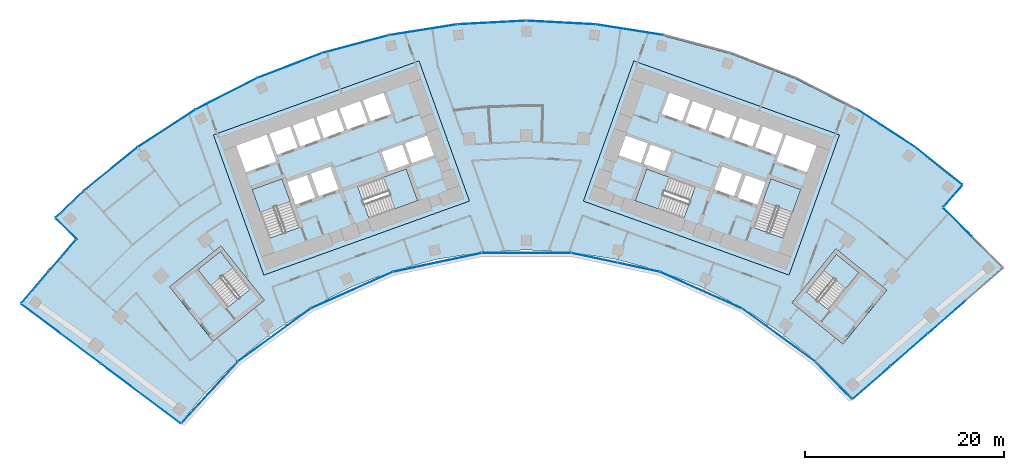
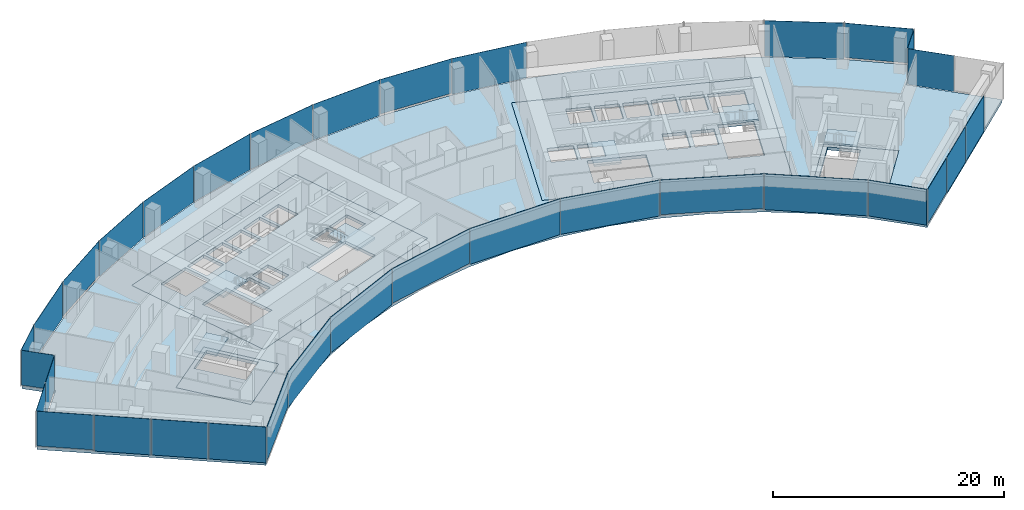
# One storey, part 11 of 20: 33 plates, 11 slabs, 14 elements without a shape of their own.
"""IFC4 building model written with IfcOpenShell, lengths in metres."""

from ifc_helpers import new_model, si_unit, direction, frame, origin, origin_2d, place, context, subcontext, project, spatial, polyline, rectangle, outline, extrude, material, layer, layer_set, type_object, element, aggregate, save


model = new_model("IFC4")

# Units and contexts
model_context = context("Model", 3, precision=1e-05, world=origin(), true_north=direction((0.0, 1.0)))
body_context = subcontext(model_context, "Body", "Model", "MODEL_VIEW")
ifc_project = project(units=[si_unit("LENGTHUNIT", "METRE"), si_unit("AREAUNIT", "SQUARE_METRE"), si_unit("VOLUMEUNIT", "CUBIC_METRE"), si_unit("PLANEANGLEUNIT", "RADIAN"), si_unit("MASSUNIT", "GRAM", prefix="KILO")], contexts=[model_context])

# Site, building, storey
site_placement = place(None, origin())
site = spatial("IfcSite", under=ifc_project, at=site_placement, CompositionType="ELEMENT")
building_placement = place(site_placement, origin())
building = spatial("IfcBuilding", under=site, at=building_placement, Name="Stone Belt Terrace Tower", CompositionType="ELEMENT")
storey_placement = place(building_placement, frame((0.0, 0.0, 174.39990234375)))
storey = spatial("IfcBuildingStorey", under=building, at=storey_placement, Name="L42", CompositionType="ELEMENT", Elevation=174.39990234375)

# Curtain wall, plates
ifc_material_1 = material(Name="Aluminium 6063-T6 anodised frame", Category="aluminium")
ifc_layer_1 = layer(ifc_material_1, 0.14990234375)
ifc_layer_set_1 = layer_set([ifc_layer_1], Name="CW-A unitised convex-face curtain wall")
curtain_wall_type_1 = type_object("IfcCurtainWallType", Name="CW-A unitised convex-face curtain wall", PredefinedType="NOTDEFINED", material=ifc_layer_set_1)
curtain_wall_1_placement = place(storey_placement, origin())
curtain_wall_1 = element("IfcCurtainWall", 1, at=curtain_wall_1_placement, inside=storey, type_object=curtain_wall_type_1, Name="CW-A convex face L42", PredefinedType="NOTDEFINED")
ifc_material_2 = material(Name="Clear double glazed unit")
ifc_layer_2 = layer(ifc_material_2, 0.031982421875)
ifc_layer_set_2 = layer_set([ifc_layer_2], Name="CW-A glass panel 32")
plate_type_1 = type_object("IfcPlateType", Name="CW-A glass panel 32", PredefinedType="CURTAIN_PANEL", material=ifc_layer_set_2)
plate_1_placement = place(storey_placement, frame((41.508544921875, 51.962890625, 0.14013671875), z_axis=(0.0, 0.0, 1.0), x_axis=(-0.7814794641, 0.62393096348, 0.0)))
plate_1 = element("IfcPlate", 2, at=plate_1_placement, type_object=plate_type_1, Name="CW-A panel 1.1", PredefinedType="CURTAIN_PANEL", context=body_context, shape_type="SweptSolid", body=[
    extrude(rectangle(XDim=6.015625, YDim=0.031982421875, at=origin_2d()), origin(), (0.0, 0.0, 1.0), 3.659912109375),
])
plate_2_placement = place(storey_placement, frame((36.209716796875, 55.758056640625, 0.0), z_axis=(0.0, 0.0, 1.0), x_axis=(-0.838670567945, 0.544639035015, 0.0)))
plate_2 = element("IfcPlate", 3, at=plate_2_placement, type_object=plate_type_1, Name="CW-A panel 2.1", PredefinedType="CURTAIN_PANEL", context=body_context, shape_type="SweptSolid", body=[
    extrude(rectangle(XDim=6.90087890625, YDim=0.031982421875, at=origin_2d()), origin(), (0.0, 0.0, 1.0), 3.800048828125),
])
plate_3_placement = place(storey_placement, frame((10.400390625, 65.665283203125, 0.0), z_axis=(0.0, 0.0, 1.0), x_axis=(-0.987688340595, 0.15643446504, 0.0)))
plate_3 = element("IfcPlate", 4, at=plate_3_placement, type_object=plate_type_1, Name="CW-A panel 6.1", PredefinedType="CURTAIN_PANEL", context=body_context, shape_type="SweptSolid", body=[
    extrude(rectangle(XDim=6.90087890625, YDim=0.031982421875, at=origin_2d()), origin(), (0.0, 0.0, 1.0), 3.800048828125),
])
plate_4_placement = place(storey_placement, frame((3.4794921875, 66.392822265625, 0.14013671875), z_axis=(0.0, 0.0, 1.0), x_axis=(-0.998629534755, 0.052335956243, 0.0)))
plate_4 = element("IfcPlate", 5, at=plate_4_placement, type_object=plate_type_1, Name="CW-A panel 7.1", PredefinedType="CURTAIN_PANEL", context=body_context, shape_type="SweptSolid", body=[
    extrude(rectangle(XDim=6.90087890625, YDim=0.031982421875, at=origin_2d()), origin(), (0.0, 0.0, 1.0), 3.659912109375),
])
plate_5_placement = place(storey_placement, frame((-3.4794921875, 66.392822265625, 0.0), z_axis=(0.0, 0.0, 1.0), x_axis=(-0.998629534755, -0.052335956243, 0.0)))
plate_5 = element("IfcPlate", 6, at=plate_5_placement, type_object=plate_type_1, Name="CW-A panel 8.1", PredefinedType="CURTAIN_PANEL", context=body_context, shape_type="SweptSolid", body=[
    extrude(rectangle(XDim=6.90087890625, YDim=0.031982421875, at=origin_2d()), origin(), (0.0, 0.0, 1.0), 3.800048828125),
])
plate_6_placement = place(storey_placement, frame((-10.400390625, 65.665283203125, 0.0), z_axis=(0.0, 0.0, 1.0), x_axis=(-0.987688340595, -0.15643446504, 0.0)))
plate_6 = element("IfcPlate", 7, at=plate_6_placement, type_object=plate_type_1, Name="CW-A panel 9.1", PredefinedType="CURTAIN_PANEL", context=body_context, shape_type="SweptSolid", body=[
    extrude(rectangle(XDim=6.90087890625, YDim=0.031982421875, at=origin_2d()), origin(), (0.0, 0.0, 1.0), 3.800048828125),
])
plate_7_placement = place(storey_placement, frame((-17.207275390625, 64.218505859375, 0.0), z_axis=(0.0, 0.0, 1.0), x_axis=(-0.965925826289, -0.258819045103, 0.0)))
plate_7 = element("IfcPlate", 8, at=plate_7_placement, type_object=plate_type_1, Name="CW-A panel 10.1", PredefinedType="CURTAIN_PANEL", context=body_context, shape_type="SweptSolid", body=[
    extrude(rectangle(XDim=6.90087890625, YDim=0.031982421875, at=origin_2d()), origin(), (0.0, 0.0, 1.0), 3.800048828125),
])
plate_8_placement = place(storey_placement, frame((-23.82568359375, 62.068115234375, 0.0), z_axis=(0.0, 0.0, 1.0), x_axis=(-0.933580426497, -0.358367949545, 0.0)))
plate_8 = element("IfcPlate", 9, at=plate_8_placement, type_object=plate_type_1, Name="CW-A panel 11.1", PredefinedType="CURTAIN_PANEL", context=body_context, shape_type="SweptSolid", body=[
    extrude(rectangle(XDim=6.90087890625, YDim=0.031982421875, at=origin_2d()), origin(), (0.0, 0.0, 1.0), 3.800048828125),
])
plate_9_placement = place(storey_placement, frame((-30.18310546875, 59.237548828125, 0.0), z_axis=(0.0, 0.0, 1.0), x_axis=(-0.891006524188, -0.45399049974, 0.0)))
plate_9 = element("IfcPlate", 10, at=plate_9_placement, type_object=plate_type_1, Name="CW-A panel 12.1", PredefinedType="CURTAIN_PANEL", context=body_context, shape_type="SweptSolid", body=[
    extrude(rectangle(XDim=6.90087890625, YDim=0.031982421875, at=origin_2d()), origin(), (0.0, 0.0, 1.0), 3.800048828125),
])
plate_10_placement = place(storey_placement, frame((-36.209716796875, 55.758056640625, 0.14013671875), z_axis=(0.0, 0.0, 1.0), x_axis=(-0.838670567945, -0.544639035015, 0.0)))
plate_10 = element("IfcPlate", 11, at=plate_10_placement, type_object=plate_type_1, Name="CW-A panel 13.1", PredefinedType="CURTAIN_PANEL", context=body_context, shape_type="SweptSolid", body=[
    extrude(rectangle(XDim=6.90087890625, YDim=0.031982421875, at=origin_2d()), origin(), (0.0, 0.0, 1.0), 3.659912109375),
])
plate_11_placement = place(storey_placement, frame((-41.839599609375, 51.667724609375, 0.0), z_axis=(0.0, 0.0, 1.0), x_axis=(-0.777145961457, -0.62932039105, 0.0)))
plate_11 = element("IfcPlate", 12, at=plate_11_placement, type_object=plate_type_1, Name="CW-A panel 14.1", PredefinedType="CURTAIN_PANEL", context=body_context, shape_type="SweptSolid", body=[
    extrude(rectangle(XDim=6.900634765625, YDim=0.031982421875, at=origin_2d()), origin(), (0.0, 0.0, 1.0), 3.800048828125),
])
plate_12_placement = place(storey_placement, frame((-45.9765625, 48.109619140625, 0.0), z_axis=(0.0, 0.0, 1.0), x_axis=(-0.723120883539, -0.690721497993, 0.0)))
plate_12 = element("IfcPlate", 13, at=plate_12_placement, type_object=plate_type_1, Name="CW-A panel 15.1", PredefinedType="CURTAIN_PANEL", context=body_context, shape_type="SweptSolid", body=[
    extrude(rectangle(XDim=3.888671875, YDim=0.031982421875, at=origin_2d()), origin(), (0.0, 0.0, 1.0), 3.800048828125),
])
aggregate(curtain_wall_1, [plate_1, plate_2, plate_3, plate_4, plate_5, plate_6, plate_7, plate_8, plate_9, plate_10, plate_11, plate_12])

ifc_layer_3 = layer(ifc_material_1, 0.14990234375)
ifc_layer_set_3 = layer_set([ifc_layer_3], Name="CW-B unitised concave-face curtain wall")
curtain_wall_type_2 = type_object("IfcCurtainWallType", Name="CW-B unitised concave-face curtain wall", PredefinedType="NOTDEFINED", material=ifc_layer_set_3)
curtain_wall_2_placement = place(storey_placement, origin())
curtain_wall_2 = element("IfcCurtainWall", 14, at=curtain_wall_2_placement, inside=storey, type_object=curtain_wall_type_2, Name="CW-B concave face L42", PredefinedType="NOTDEFINED")
ifc_layer_4 = layer(ifc_material_2, 0.030029296875)
ifc_layer_set_4 = layer_set([ifc_layer_4], Name="CW-B glass panel 30")
plate_type_2 = type_object("IfcPlateType", Name="CW-B glass panel 30", PredefinedType="CURTAIN_PANEL", material=ifc_layer_set_4)
plate_13_placement = place(storey_placement, frame((-31.9111328125, 29.148681640625, 0.1201171875), z_axis=(0.0, 0.0, 1.0), x_axis=(0.674760998748, 0.73803630979, 0.0)))
plate_13 = element("IfcPlate", 15, at=plate_13_placement, type_object=plate_type_2, Name="CW-B panel 1.1", PredefinedType="CURTAIN_PANEL", context=body_context, shape_type="SweptSolid", body=[
    extrude(rectangle(XDim=8.39501953125, YDim=0.030029296875, at=origin_2d()), origin(), (0.0, 0.0, 1.0), 3.679931640625),
])
plate_14_placement = place(storey_placement, frame((-25.384765625, 34.938720703125, 0.0), z_axis=(0.0, 0.0, 1.0), x_axis=(0.809016994375, 0.587785252292, 0.0)))
plate_14 = element("IfcPlate", 16, at=plate_14_placement, type_object=plate_type_2, Name="CW-B panel 2.1", PredefinedType="CURTAIN_PANEL", context=body_context, shape_type="SweptSolid", body=[
    extrude(rectangle(XDim=9.013427734375, YDim=0.030029296875, at=origin_2d()), origin(), (0.0, 0.0, 1.0), 3.800048828125),
])
plate_15_placement = place(storey_placement, frame((-17.565673828125, 39.453125, 0.0), z_axis=(0.0, 0.0, 1.0), x_axis=(0.913545457643, 0.406736643076, 0.0)))
plate_15 = element("IfcPlate", 17, at=plate_15_placement, type_object=plate_type_2, Name="CW-B panel 3.1", PredefinedType="CURTAIN_PANEL", context=body_context, shape_type="SweptSolid", body=[
    extrude(rectangle(XDim=9.0126953125, YDim=0.030029296875, at=origin_2d()), origin(), (0.0, 0.0, 1.0), 3.800048828125),
])
plate_16_placement = place(storey_placement, frame((-8.97900390625, 42.242919921875, 0.1201171875), z_axis=(0.0, 0.0, 1.0), x_axis=(0.978147600734, 0.207911690818, 0.0)))
plate_16 = element("IfcPlate", 18, at=plate_16_placement, type_object=plate_type_2, Name="CW-B panel 4.1", PredefinedType="CURTAIN_PANEL", context=body_context, shape_type="SweptSolid", body=[
    extrude(rectangle(XDim=9.0126953125, YDim=0.030029296875, at=origin_2d()), origin(), (0.0, 0.0, 1.0), 3.679931640625),
])
plate_17_placement = place(storey_placement, frame((0.0, 43.186767578125, 0.0), z_axis=(0.0, 0.0, 1.0), x_axis=(1.0, 0.0, 0.0)))
plate_17 = element("IfcPlate", 19, at=plate_17_placement, type_object=plate_type_2, Name="CW-B panel 5.1", PredefinedType="CURTAIN_PANEL", context=body_context, shape_type="SweptSolid", body=[
    extrude(rectangle(XDim=9.0126953125, YDim=0.030029296875, at=origin_2d()), origin(), (0.0, 0.0, 1.0), 3.800048828125),
])
plate_18_placement = place(storey_placement, frame((8.97900390625, 42.242919921875, 0.0), z_axis=(0.0, 0.0, 1.0), x_axis=(0.978147600734, -0.207911690818, 0.0)))
plate_18 = element("IfcPlate", 20, at=plate_18_placement, type_object=plate_type_2, Name="CW-B panel 6.1", PredefinedType="CURTAIN_PANEL", context=body_context, shape_type="SweptSolid", body=[
    extrude(rectangle(XDim=9.0126953125, YDim=0.030029296875, at=origin_2d()), origin(), (0.0, 0.0, 1.0), 3.800048828125),
])
plate_19_placement = place(storey_placement, frame((17.565673828125, 39.453125, 0.1201171875), z_axis=(0.0, 0.0, 1.0), x_axis=(0.913545457643, -0.406736643076, 0.0)))
plate_19 = element("IfcPlate", 21, at=plate_19_placement, type_object=plate_type_2, Name="CW-B panel 7.1", PredefinedType="CURTAIN_PANEL", context=body_context, shape_type="SweptSolid", body=[
    extrude(rectangle(XDim=9.0126953125, YDim=0.030029296875, at=origin_2d()), origin(), (0.0, 0.0, 1.0), 3.679931640625),
])
plate_20_placement = place(storey_placement, frame((25.3857421875, 34.937744140625, 0.0), z_axis=(0.0, 0.0, 1.0), x_axis=(0.809016994375, -0.587785252292, 0.0)))
plate_20 = element("IfcPlate", 22, at=plate_20_placement, type_object=plate_type_2, Name="CW-B panel 8.1", PredefinedType="CURTAIN_PANEL", context=body_context, shape_type="SweptSolid", body=[
    extrude(rectangle(XDim=9.01611328125, YDim=0.030029296875, at=origin_2d()), origin(), (0.0, 0.0, 1.0), 3.800048828125),
])
plate_21_placement = place(storey_placement, frame((30.9189453125, 30.37744140625, 0.0), z_axis=(0.0, 0.0, 1.0), x_axis=(0.701146694669, -0.713017049274, 0.0)))
plate_21 = element("IfcPlate", 23, at=plate_21_placement, type_object=plate_type_2, Name="CW-B panel 9.1", PredefinedType="CURTAIN_PANEL", context=body_context, shape_type="SweptSolid", body=[
    extrude(rectangle(XDim=5.245849609375, YDim=0.030029296875, at=origin_2d()), origin(), (0.0, 0.0, 1.0), 3.800048828125),
])
aggregate(curtain_wall_2, [plate_13, plate_14, plate_15, plate_16, plate_17, plate_18, plate_19, plate_20, plate_21])

ifc_layer_5 = layer(ifc_material_1, 0.14990234375)
ifc_layer_set_5 = layer_set([ifc_layer_5], Name="CW-C stick curtain wall, horn ends and notches")
curtain_wall_type_3 = type_object("IfcCurtainWallType", Name="CW-C stick curtain wall, horn ends and notches", PredefinedType="NOTDEFINED", material=ifc_layer_set_5)
curtain_wall_3_placement = place(storey_placement, origin())
curtain_wall_3 = element("IfcCurtainWall", 24, at=curtain_wall_3_placement, inside=storey, type_object=curtain_wall_type_3, Name="CW-C end face L42", PredefinedType="NOTDEFINED")
ifc_layer_6 = layer(ifc_material_2, 0.028076171875)
ifc_layer_set_6 = layer_set([ifc_layer_6], Name="CW-C glass panel 28")
plate_type_3 = type_object("IfcPlateType", Name="CW-C glass panel 28", PredefinedType="CURTAIN_PANEL", material=ifc_layer_set_6)
plate_22_placement = place(storey_placement, frame((34.7353515625, 30.13623046875, 0.1201171875), z_axis=(0.0, 0.0, 1.0), x_axis=(0.754272557058, 0.65656142871, 0.0)))
plate_22 = element("IfcPlate", 25, at=plate_22_placement, type_object=plate_type_3, Name="CW-C panel 1.1", PredefinedType="CURTAIN_PANEL", context=body_context, shape_type="SweptSolid", body=[
    extrude(rectangle(XDim=4.96728515625, YDim=0.028076171875, at=origin_2d()), origin(), (0.0, 0.0, 1.0), 3.679931640625),
])
plate_23_placement = place(storey_placement, frame((38.51708984375, 33.427978515625, 0.0), z_axis=(0.0, 0.0, 1.0), x_axis=(0.754272557058, 0.65656142871, 0.0)))
plate_23 = element("IfcPlate", 26, at=plate_23_placement, type_object=plate_type_3, Name="CW-C panel 2.1", PredefinedType="CURTAIN_PANEL", context=body_context, shape_type="SweptSolid", body=[
    extrude(rectangle(XDim=4.93994140625, YDim=0.028076171875, at=origin_2d()), origin(), (0.0, 0.0, 1.0), 3.800048828125),
])
plate_24_placement = place(storey_placement, frame((42.28857421875, 36.7109375, 0.0), z_axis=(0.0, 0.0, 1.0), x_axis=(0.754272557058, 0.65656142871, 0.0)))
plate_24 = element("IfcPlate", 27, at=plate_24_placement, type_object=plate_type_3, Name="CW-C panel 3.1", PredefinedType="CURTAIN_PANEL", context=body_context, shape_type="SweptSolid", body=[
    extrude(rectangle(XDim=4.93994140625, YDim=0.028076171875, at=origin_2d()), origin(), (0.0, 0.0, 1.0), 3.800048828125),
])
aggregate(curtain_wall_3, [plate_22, plate_23, plate_24])

# Curtain wall, plate
curtain_wall_4_placement = place(storey_placement, origin())
curtain_wall_4 = element("IfcCurtainWall", 28, at=curtain_wall_4_placement, inside=storey, type_object=curtain_wall_type_3, Name="CW-C notch face L42", PredefinedType="NOTDEFINED")
plate_25_placement = place(storey_placement, frame((43.44189453125, 46.265380859375, 0.0), z_axis=(0.0, 0.0, 1.0), x_axis=(-0.706060821703, 0.70815119576, 0.0)))
plate_25 = element("IfcPlate", 29, at=plate_25_placement, type_object=plate_type_3, Name="CW-C panel 2.1", PredefinedType="CURTAIN_PANEL", context=body_context, shape_type="SweptSolid", body=[
    extrude(rectangle(XDim=4.12060546875, YDim=0.028076171875, at=origin_2d()), origin(), (0.0, 0.0, 1.0), 3.800048828125),
])
aggregate(curtain_wall_4, [plate_25])

curtain_wall_5_placement = place(storey_placement, origin())
curtain_wall_5 = element("IfcCurtainWall", 30, at=curtain_wall_5_placement, inside=storey, type_object=curtain_wall_type_3, Name="CW-C notch face L42", PredefinedType="NOTDEFINED")
plate_26_placement = place(storey_placement, frame((42.926025390625, 48.9072265625, 0.1201171875), z_axis=(0.0, 0.0, 1.0), x_axis=(0.658788364525, 0.75232831315, 0.0)))
plate_26 = element("IfcPlate", 31, at=plate_26_placement, type_object=plate_type_3, Name="CW-C panel 1.1", PredefinedType="CURTAIN_PANEL", context=body_context, shape_type="SweptSolid", body=[
    extrude(rectangle(XDim=2.8603515625, YDim=0.028076171875, at=origin_2d()), origin(), (0.0, 0.0, 1.0), 3.679931640625),
])
aggregate(curtain_wall_5, [plate_26])

curtain_wall_6_placement = place(storey_placement, origin())
curtain_wall_6 = element("IfcCurtainWall", 32, at=curtain_wall_6_placement, inside=storey, type_object=curtain_wall_type_3, Name="CW-C notch face L42", PredefinedType="NOTDEFINED")
plate_27_placement = place(storey_placement, frame((-46.365966796875, 45.658447265625, 0.1201171875), z_axis=(0.0, 0.0, 1.0), x_axis=(0.711713447851, -0.702469905511, 0.0)))
plate_27 = element("IfcPlate", 33, at=plate_27_placement, type_object=plate_type_3, Name="CW-C panel 1.1", PredefinedType="CURTAIN_PANEL", context=body_context, shape_type="SweptSolid", body=[
    extrude(rectangle(XDim=2.859375, YDim=0.028076171875, at=origin_2d()), origin(), (0.0, 0.0, 1.0), 3.679931640625),
])
aggregate(curtain_wall_6, [plate_27])

# Curtain wall, plates
curtain_wall_7_placement = place(storey_placement, origin())
curtain_wall_7 = element("IfcCurtainWall", 34, at=curtain_wall_7_placement, inside=storey, type_object=curtain_wall_type_3, Name="CW-C notch face L42", PredefinedType="NOTDEFINED")
plate_28_placement = place(storey_placement, frame((-46.68896484375, 42.986572265625, 0.1201171875), z_axis=(0.0, 0.0, 1.0), x_axis=(-0.652737860281, -0.757583847343, 0.0)))
plate_28 = element("IfcPlate", 35, at=plate_28_placement, type_object=plate_type_3, Name="CW-C panel 1.1", PredefinedType="CURTAIN_PANEL", context=body_context, shape_type="SweptSolid", body=[
    extrude(rectangle(XDim=4.12060546875, YDim=0.028076171875, at=origin_2d()), origin(), (0.0, 0.0, 1.0), 3.679931640625),
])
plate_29_placement = place(storey_placement, frame((-49.466064453125, 39.76318359375, 0.0), z_axis=(0.0, 0.0, 1.0), x_axis=(-0.652737860281, -0.757583847343, 0.0)))
plate_29 = element("IfcPlate", 36, at=plate_29_placement, type_object=plate_type_3, Name="CW-C panel 2.1", PredefinedType="CURTAIN_PANEL", context=body_context, shape_type="SweptSolid", body=[
    extrude(rectangle(XDim=4.268798828125, YDim=0.028076171875, at=origin_2d()), origin(), (0.0, 0.0, 1.0), 3.800048828125),
])
aggregate(curtain_wall_7, [plate_28, plate_29])

curtain_wall_8_placement = place(storey_placement, origin())
curtain_wall_8 = element("IfcCurtainWall", 37, at=curtain_wall_8_placement, inside=storey, type_object=curtain_wall_type_3, Name="CW-C end face L42", PredefinedType="NOTDEFINED")
plate_30_placement = place(storey_placement, frame((-48.858154296875, 36.551513671875, 0.1201171875), z_axis=(0.0, 0.0, 1.0), x_axis=(0.799986505357, -0.600017992436, 0.0)))
plate_30 = element("IfcPlate", 38, at=plate_30_placement, type_object=plate_type_3, Name="CW-C panel 1.1", PredefinedType="CURTAIN_PANEL", context=body_context, shape_type="SweptSolid", body=[
    extrude(rectangle(XDim=4.974853515625, YDim=0.028076171875, at=origin_2d()), origin(), (0.0, 0.0, 1.0), 3.679931640625),
])
plate_31_placement = place(storey_placement, frame((-44.84423828125, 33.541015625, 0.0), z_axis=(0.0, 0.0, 1.0), x_axis=(0.799986505357, -0.600017992436, 0.0)))
plate_31 = element("IfcPlate", 39, at=plate_31_placement, type_object=plate_type_3, Name="CW-C panel 2.1", PredefinedType="CURTAIN_PANEL", context=body_context, shape_type="SweptSolid", body=[
    extrude(rectangle(XDim=4.93994140625, YDim=0.028076171875, at=origin_2d()), origin(), (0.0, 0.0, 1.0), 3.800048828125),
])
plate_32_placement = place(storey_placement, frame((-40.84423828125, 30.541015625, 0.0), z_axis=(0.0, 0.0, 1.0), x_axis=(0.799986505357, -0.600017992436, 0.0)))
plate_32 = element("IfcPlate", 40, at=plate_32_placement, type_object=plate_type_3, Name="CW-C panel 3.1", PredefinedType="CURTAIN_PANEL", context=body_context, shape_type="SweptSolid", body=[
    extrude(rectangle(XDim=4.93994140625, YDim=0.028076171875, at=origin_2d()), origin(), (0.0, 0.0, 1.0), 3.800048828125),
])
plate_33_placement = place(storey_placement, frame((-36.834228515625, 27.533203125, 0.0), z_axis=(0.0, 0.0, 1.0), x_axis=(0.799986505357, -0.600017992436, 0.0)))
plate_33 = element("IfcPlate", 41, at=plate_33_placement, type_object=plate_type_3, Name="CW-C panel 4.1", PredefinedType="CURTAIN_PANEL", context=body_context, shape_type="SweptSolid", body=[
    extrude(rectangle(XDim=4.96533203125, YDim=0.028076171875, at=origin_2d()), origin(), (0.0, 0.0, 1.0), 3.800048828125),
])
aggregate(curtain_wall_8, [plate_30, plate_31, plate_32, plate_33])

# Slabs
ifc_material_3 = material(Name="Concrete B40", Category="concrete")
ifc_layer_7 = layer(ifc_material_3, 0.320068359375)
ifc_layer_set_7 = layer_set([ifc_layer_7], Name="Core floor slab 320")
slab_type_1 = type_object("IfcSlabType", Name="Core floor slab 320", PredefinedType="FLOOR", material=ifc_layer_set_7)
slab_1_placement = place(storey_placement, frame((0.0, 0.0, -0.31982421875)))
element("IfcSlab", 42, at=slab_1_placement, inside=storey, type_object=slab_type_1, Name="Core A floor L42", PredefinedType="FLOOR", context=body_context, shape_type="SweptSolid", body=[
    extrude(outline(polyline([(-26.43505859375, 40.968994140625), (-5.735107421875, 48.4189453125), (-10.81396484375, 62.531982421875), (-31.513916015625, 55.0830078125), (-26.43505859375, 40.968994140625)]), holes=[polyline([(-24.60791015625, 50.659912109375), (-22.847900390625, 45.76806640625), (-25.85888671875, 44.68408203125), (-27.618896484375, 49.575927734375), (-24.60791015625, 50.659912109375)]), polyline([(-23.25, 48.06689453125), (-24.06298828125, 50.324951171875), (-22.0869140625, 51.035888671875), (-21.27392578125, 48.778076171875), (-23.25, 48.06689453125)]), polyline([(-20.89794921875, 48.9130859375), (-21.7109375, 51.1708984375), (-19.735107421875, 51.883056640625), (-18.922119140625, 49.6240234375), (-20.89794921875, 48.9130859375)]), polyline([(-28.24609375, 51.31689453125), (-29.2109375, 53.9990234375), (-26.153076171875, 55.09912109375), (-25.18798828125, 52.41796875), (-28.24609375, 51.31689453125)]), polyline([(-23.801025390625, 55.946044921875), (-23.0390625, 53.8291015625), (-25.10888671875, 53.083984375), (-25.87109375, 55.200927734375), (-23.801025390625, 55.946044921875)]), polyline([(-21.447998046875, 56.7919921875), (-20.68603515625, 54.675048828125), (-22.756103515625, 53.929931640625), (-23.51806640625, 56.047119140625), (-21.447998046875, 56.7919921875)]), polyline([(-10.955078125, 48.452880859375), (-15.846923828125, 46.69189453125), (-16.998046875, 49.89208984375), (-12.10595703125, 51.652099609375), (-10.955078125, 48.452880859375)]), polyline([(-11.847900390625, 52.116943359375), (-11.864990234375, 52.1640625), (-13.887939453125, 51.43603515625), (-14.58203125, 53.364990234375), (-12.511962890625, 54.110107421875), (-11.801025390625, 52.134033203125), (-11.847900390625, 52.116943359375)]), polyline([(-9.30810546875, 53.031005859375), (-11.51904296875, 52.235107421875), (-12.22998046875, 54.2109375), (-10.01904296875, 55.007080078125), (-9.30810546875, 53.031005859375)]), polyline([(-21.166015625, 56.89404296875), (-19.095947265625, 57.638916015625), (-18.333984375, 55.52197265625), (-20.404052734375, 54.777099609375), (-21.166015625, 56.89404296875)]), polyline([(-16.743896484375, 58.485107421875), (-15.98193359375, 56.367919921875), (-18.052001953125, 55.623046875), (-18.81396484375, 57.739990234375), (-16.743896484375, 58.485107421875)]), polyline([(-14.39111328125, 59.33203125), (-13.6298828125, 57.215087890625), (-15.699951171875, 56.469970703125), (-16.4609375, 58.5869140625), (-14.39111328125, 59.33203125)])]), origin(), (0.0, 0.0, 1.0), 0.31982421875),
])
slab_2_placement = place(storey_placement, frame((0.0, 0.0, -0.31982421875)))
element("IfcSlab", 43, at=slab_2_placement, inside=storey, type_object=slab_type_1, Name="Core B floor L42", PredefinedType="FLOOR", context=body_context, shape_type="SweptSolid", body=[
    extrude(outline(polyline([(26.43505859375, 40.968994140625), (31.513916015625, 55.0830078125), (10.81396484375, 62.531982421875), (5.735107421875, 48.4189453125), (26.43505859375, 40.968994140625)]), holes=[polyline([(12.10595703125, 51.652099609375), (16.998046875, 49.89208984375), (15.846923828125, 46.69189453125), (10.955078125, 48.452880859375), (12.10595703125, 51.652099609375)]), polyline([(12.511962890625, 54.110107421875), (14.58203125, 53.364990234375), (13.887939453125, 51.43603515625), (11.864990234375, 52.1640625), (11.847900390625, 52.116943359375), (11.801025390625, 52.134033203125), (12.511962890625, 54.110107421875)]), polyline([(9.30810546875, 53.031005859375), (10.01904296875, 55.007080078125), (12.22998046875, 54.2109375), (11.51904296875, 52.235107421875), (9.30810546875, 53.031005859375)]), polyline([(18.333984375, 55.52197265625), (19.095947265625, 57.638916015625), (21.166015625, 56.89404296875), (20.404052734375, 54.777099609375), (18.333984375, 55.52197265625)]), polyline([(16.743896484375, 58.485107421875), (18.81396484375, 57.739990234375), (18.052001953125, 55.623046875), (15.98193359375, 56.367919921875), (16.743896484375, 58.485107421875)]), polyline([(14.39111328125, 59.33203125), (16.4609375, 58.5869140625), (15.699951171875, 56.469970703125), (13.6298828125, 57.215087890625), (14.39111328125, 59.33203125)]), polyline([(27.618896484375, 49.575927734375), (25.85888671875, 44.68408203125), (22.847900390625, 45.76806640625), (24.60791015625, 50.659912109375), (27.618896484375, 49.575927734375)]), polyline([(23.25, 48.06689453125), (21.27392578125, 48.778076171875), (22.0869140625, 51.035888671875), (24.06298828125, 50.324951171875), (23.25, 48.06689453125)]), polyline([(20.89794921875, 48.9130859375), (18.922119140625, 49.6240234375), (19.735107421875, 51.883056640625), (21.7109375, 51.1708984375), (20.89794921875, 48.9130859375)]), polyline([(26.153076171875, 55.09912109375), (29.2109375, 53.9990234375), (28.24609375, 51.31689453125), (25.18798828125, 52.41796875), (26.153076171875, 55.09912109375)]), polyline([(23.801025390625, 55.946044921875), (25.87109375, 55.200927734375), (25.10888671875, 53.083984375), (23.0390625, 53.8291015625), (23.801025390625, 55.946044921875)]), polyline([(21.447998046875, 56.7919921875), (23.51806640625, 56.047119140625), (22.756103515625, 53.929931640625), (20.68603515625, 54.675048828125), (21.447998046875, 56.7919921875)])]), origin(), (0.0, 0.0, 1.0), 0.31982421875),
])
slab_3_placement = place(storey_placement, frame((0.0, 0.0, -0.31982421875)))
element("IfcSlab", 44, at=slab_3_placement, inside=storey, type_object=slab_type_1, Name="Exit stair ST3A floor L42", PredefinedType="FLOOR", context=body_context, shape_type="SweptSolid", body=[
    extrude(outline(polyline([(-26.39404296875, 38.425048828125), (-30.756103515625, 43.89990234375), (-35.91796875, 39.787109375), (-31.555908203125, 34.31298828125), (-26.39404296875, 38.425048828125)]), holes=[polyline([(-27.798095703125, 39.544921875), (-30.06591796875, 37.738037109375), (-33.087890625, 41.531005859375), (-30.820068359375, 43.337890625), (-27.798095703125, 39.544921875)])]), origin(), (0.0, 0.0, 1.0), 0.31982421875),
])
slab_4_placement = place(storey_placement, frame((0.0, 0.0, -0.31982421875)))
element("IfcSlab", 45, at=slab_4_placement, inside=storey, type_object=slab_type_1, Name="Exit stair ST3B floor L42", PredefinedType="FLOOR", context=body_context, shape_type="SweptSolid", body=[
    extrude(outline(polyline([(26.741943359375, 38.18408203125), (31.866943359375, 34.02392578125), (36.278076171875, 39.458984375), (31.154052734375, 43.618896484375), (26.741943359375, 38.18408203125)]), holes=[polyline([(30.407958984375, 37.462890625), (28.156005859375, 39.291015625), (31.2119140625, 43.055908203125), (33.464111328125, 41.22802734375), (30.407958984375, 37.462890625)])]), origin(), (0.0, 0.0, 1.0), 0.31982421875),
])
ifc_layer_8 = layer(ifc_material_3, 0.320068359375)
ifc_layer_set_8 = layer_set([ifc_layer_8], Name="Floor slab 320 B40")
slab_type_2 = type_object("IfcSlabType", Name="Floor slab 320 B40", PredefinedType="FLOOR", material=ifc_layer_set_8)
slab_5_placement = place(storey_placement, frame((0.0, 0.0, -0.31982421875)))
element("IfcSlab", 46, at=slab_5_placement, inside=storey, type_object=slab_type_2, Name="Floor slab L42", PredefinedType="FLOOR", context=body_context, shape_type="SweptSolid", body=[
    extrude(outline(polyline([(-44.497314453125, 49.419189453125), (-39.087646484375, 53.799560546875), (-33.25, 57.5908203125), (-27.048095703125, 60.750732421875), (-20.549560546875, 63.245361328125), (-13.826171875, 65.046875), (-6.951171875, 66.1357421875), (0.0, 66.5), (6.951171875, 66.1357421875), (13.826171875, 65.046875), (20.549560546875, 63.245361328125), (27.048095703125, 60.750732421875), (33.25, 57.5908203125), (39.087646484375, 53.799560546875), (43.809326171875, 50.02978515625), (41.8330078125, 47.772705078125), (47.896240234375, 41.691650390625), (32.810791015625, 28.560302734375), (32.326904296875, 29.107177734375), (29.107177734375, 32.326904296875), (25.568603515625, 35.192138671875), (21.75, 37.672119140625), (17.693115234375, 39.7392578125), (13.442138671875, 41.37109375), (9.044189453125, 42.54931640625), (4.547119140625, 43.26171875), (0.0, 43.5), (-4.547119140625, 43.26171875), (-9.044189453125, 42.54931640625), (-13.442138671875, 41.37109375), (-17.693115234375, 39.7392578125), (-21.75, 37.672119140625), (-25.568603515625, 35.192138671875), (-29.107177734375, 32.326904296875), (-32.326904296875, 29.107177734375), (-34.79931640625, 26.100830078125), (-50.799072265625, 38.10107421875), (-45.19384765625, 44.606689453125), (-47.328857421875, 46.714111328125), (-44.497314453125, 49.419189453125)]), holes=[polyline([(-26.434814453125, 40.968994140625), (-5.734619140625, 48.418701171875), (-10.81396484375, 62.532470703125), (-31.51416015625, 55.082763671875), (-26.434814453125, 40.968994140625)]), polyline([(10.81396484375, 62.532470703125), (5.734619140625, 48.418701171875), (26.434814453125, 40.968994140625), (31.51416015625, 55.082763671875), (10.81396484375, 62.532470703125)]), polyline([(-35.91796875, 39.787353515625), (-31.55615234375, 34.3125), (-26.39404296875, 38.425048828125), (-30.756103515625, 43.89990234375), (-35.91796875, 39.787353515625)]), polyline([(36.2783203125, 39.459228515625), (31.15380859375, 43.61865234375), (26.742431640625, 38.18359375), (31.86669921875, 34.024169921875), (36.2783203125, 39.459228515625)])]), origin(), (0.0, 0.0, 1.0), 0.31982421875),
])

# Stair, slab
stair_type = type_object("IfcStairType", Name="Exit stair 1500", PredefinedType="HALF_TURN_STAIR", material=ifc_material_3)
stair_1_placement = place(storey_placement, origin())
stair_1 = element("IfcStair", 47, at=stair_1_placement, inside=storey, type_object=stair_type, Name="L42 Exit stair 1 core A", PredefinedType="HALF_TURN_STAIR")
ifc_layer_9 = layer(ifc_material_3, 0.199951171875)
ifc_layer_set_9 = layer_set([ifc_layer_9], Name="Stair landing 200")
slab_type_3 = type_object("IfcSlabType", Name="Stair landing 200", PredefinedType="LANDING", material=ifc_layer_set_9)
slab_6_placement = place(storey_placement, frame((0.0, 0.0, 1.7001953125)))
slab_6 = element("IfcSlab", 48, at=slab_6_placement, type_object=slab_type_3, Name="ST1A landing 1", PredefinedType="LANDING", context=body_context, shape_type="SweptSolid", body=[
    extrude(outline(polyline([(-23.79541015625, 48.40087890625), (-24.6083984375, 50.659912109375), (-27.619384765625, 49.576171875), (-26.806396484375, 47.3173828125), (-23.79541015625, 48.40087890625)])), origin(), (0.0, 0.0, 1.0), 0.199951171875),
])
aggregate(stair_1, [slab_6])

stair_2_placement = place(storey_placement, origin())
stair_2 = element("IfcStair", 49, at=stair_2_placement, inside=storey, type_object=stair_type, Name="L42 Exit stair 2 core A", PredefinedType="HALF_TURN_STAIR")
slab_7_placement = place(storey_placement, frame((0.0, 0.0, 1.7001953125)))
slab_7 = element("IfcSlab", 50, at=slab_7_placement, type_object=slab_type_3, Name="ST2A landing 1", PredefinedType="LANDING", context=body_context, shape_type="SweptSolid", body=[
    extrude(outline(polyline([(-13.213623046875, 47.64013671875), (-10.95458984375, 48.453125), (-12.10595703125, 51.652099609375), (-14.36474609375, 50.839111328125), (-13.213623046875, 47.64013671875)])), origin(), (0.0, 0.0, 1.0), 0.199951171875),
])
aggregate(stair_2, [slab_7])

stair_3_placement = place(storey_placement, origin())
stair_3 = element("IfcStair", 51, at=stair_3_placement, inside=storey, type_object=stair_type, Name="L42 Exit stair 1 core B", PredefinedType="HALF_TURN_STAIR")
slab_8_placement = place(storey_placement, frame((0.0, 0.0, 1.7001953125)))
slab_8 = element("IfcSlab", 52, at=slab_8_placement, type_object=slab_type_3, Name="ST1B landing 1", PredefinedType="LANDING", context=body_context, shape_type="SweptSolid", body=[
    extrude(outline(polyline([(26.806396484375, 47.3173828125), (27.619384765625, 49.576171875), (24.6083984375, 50.659912109375), (23.79541015625, 48.40087890625), (26.806396484375, 47.3173828125)])), origin(), (0.0, 0.0, 1.0), 0.199951171875),
])
aggregate(stair_3, [slab_8])

stair_4_placement = place(storey_placement, origin())
stair_4 = element("IfcStair", 53, at=stair_4_placement, inside=storey, type_object=stair_type, Name="L42 Exit stair 2 core B", PredefinedType="HALF_TURN_STAIR")
slab_9_placement = place(storey_placement, frame((0.0, 0.0, 1.7001953125)))
slab_9 = element("IfcSlab", 54, at=slab_9_placement, type_object=slab_type_3, Name="ST2B landing 1", PredefinedType="LANDING", context=body_context, shape_type="SweptSolid", body=[
    extrude(outline(polyline([(14.36474609375, 50.839111328125), (12.10595703125, 51.652099609375), (10.95458984375, 48.453125), (13.213623046875, 47.64013671875), (14.36474609375, 50.839111328125)])), origin(), (0.0, 0.0, 1.0), 0.199951171875),
])
aggregate(stair_4, [slab_9])

stair_5_placement = place(storey_placement, origin())
stair_5 = element("IfcStair", 55, at=stair_5_placement, inside=storey, type_object=stair_type, Name="L42 Exit stair 3A", PredefinedType="HALF_TURN_STAIR")
slab_10_placement = place(storey_placement, frame((0.0, 0.0, 1.7001953125)))
slab_10 = element("IfcSlab", 56, at=slab_10_placement, type_object=slab_type_3, Name="ST3A landing 1", PredefinedType="LANDING", context=body_context, shape_type="SweptSolid", body=[
    extrude(outline(polyline([(-29.541748046875, 41.73388671875), (-30.819580078125, 43.337890625), (-33.087646484375, 41.53076171875), (-31.809814453125, 39.9267578125), (-29.541748046875, 41.73388671875)])), origin(), (0.0, 0.0, 1.0), 0.199951171875),
])
aggregate(stair_5, [slab_10])

stair_6_placement = place(storey_placement, origin())
stair_6 = element("IfcStair", 57, at=stair_6_placement, inside=storey, type_object=stair_type, Name="L42 Exit stair 3B", PredefinedType="HALF_TURN_STAIR")
slab_11_placement = place(storey_placement, frame((0.0, 0.0, 1.7001953125)))
slab_11 = element("IfcSlab", 58, at=slab_11_placement, type_object=slab_type_3, Name="ST3B landing 1", PredefinedType="LANDING", context=body_context, shape_type="SweptSolid", body=[
    extrude(outline(polyline([(32.17138671875, 39.635986328125), (33.4638671875, 41.228271484375), (31.21240234375, 43.055908203125), (29.919921875, 41.463623046875), (32.17138671875, 39.635986328125)])), origin(), (0.0, 0.0, 1.0), 0.199951171875),
])
aggregate(stair_6, [slab_11])

save(model, "model.ifc")
